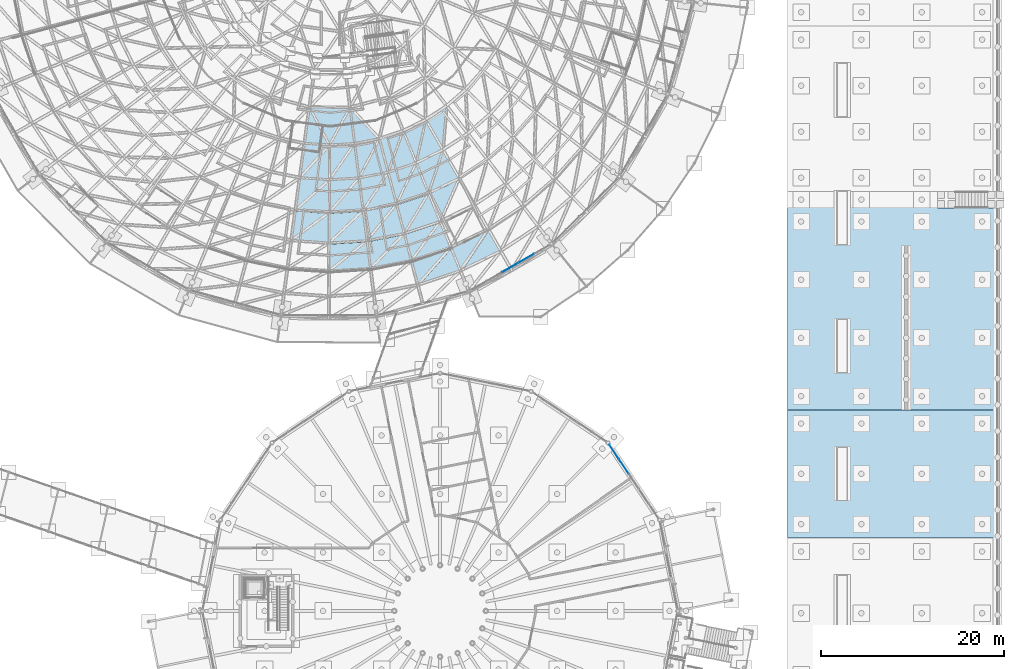
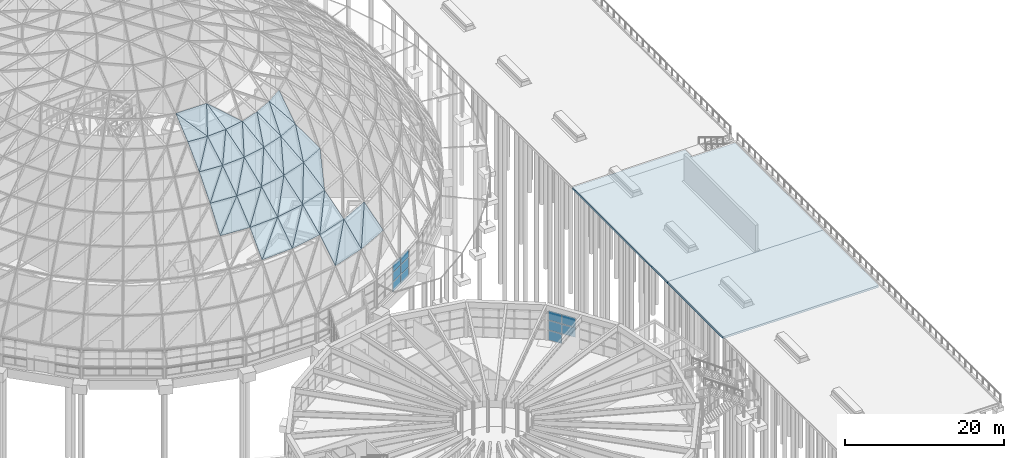
# One storey, part 146 of 226: 55 plates, 2 slabs, 2 elements without a shape of their own.
"""IFC4 building model written with IfcOpenShell, lengths in metres."""

from ifc_helpers import new_model, si_unit, direction, frame, origin, origin_2d, place, context, subcontext, project, spatial, polyline, rectangle, outline, extrude, material, layer, layer_set, type_object, element, aggregate, save


model = new_model("IFC4")

# Units and contexts
model_context = context("Model", 3, precision=1e-05, world=origin(), true_north=direction((0.0, 1.0)))
body_context = subcontext(model_context, "Body", "Model", "MODEL_VIEW")
ifc_project = project(units=[si_unit("LENGTHUNIT", "METRE"), si_unit("AREAUNIT", "SQUARE_METRE"), si_unit("VOLUMEUNIT", "CUBIC_METRE"), si_unit("PLANEANGLEUNIT", "RADIAN"), si_unit("MASSUNIT", "GRAM", prefix="KILO")], contexts=[model_context])

# Site, building, storey
site_placement = place(None, origin())
site = spatial("IfcSite", under=ifc_project, at=site_placement, CompositionType="ELEMENT")
building_placement = place(site_placement, origin())
building = spatial("IfcBuilding", under=site, at=building_placement, Name="Ceibo Conservatory and Research Tower", CompositionType="ELEMENT")
storey_placement = place(building_placement, origin())
storey = spatial("IfcBuildingStorey", under=building, at=storey_placement, Name="L00", CompositionType="ELEMENT", Elevation=0.0)

# Curtain wall, plates
ifc_material_1 = material(Name="Aluminium and glass", Category="aluminium")
curtain_wall_type_1 = type_object("IfcCurtainWallType", Name="Drum curtain wall", PredefinedType="NOTDEFINED", material=ifc_material_1)
curtain_wall_1_placement = place(storey_placement, origin())
curtain_wall_1 = element("IfcCurtainWall", 1, at=curtain_wall_1_placement, inside=storey, type_object=curtain_wall_type_1, Name="Drum curtain wall A-CW20", PredefinedType="NOTDEFINED")
ifc_material_2 = material(Name="Laminated glass", Category="glass")
ifc_layer_1 = layer(ifc_material_2, 0.028076171875)
ifc_layer_set_1 = layer_set([ifc_layer_1], Name="Laminated glass")
plate_type_1 = type_object("IfcPlateType", Name="Drum glass 28", PredefinedType="CURTAIN_PANEL", material=ifc_layer_set_1)
plate_1_placement = place(storey_placement, frame((175.678955078125, 73.569091796875, 0.06005859375), z_axis=(0.0, 0.0, 1.0), x_axis=(0.868198821002, 0.49621649228, 0.0)))
plate_1 = element("IfcPlate", 2, at=plate_1_placement, type_object=plate_type_1, Name="A-CW20 panel 3.1", PredefinedType="CURTAIN_PANEL", context=body_context, shape_type="SweptSolid", body=[
    extrude(rectangle(XDim=1.947021484375, YDim=0.028076171875, at=origin_2d()), origin(), (0.0, 0.0, 1.0), 1.43994140625),
])
plate_2_placement = place(storey_placement, frame((175.678955078125, 73.569091796875, 1.56005859375), z_axis=(0.0, 0.0, 1.0), x_axis=(0.868198821002, 0.49621649228, 0.0)))
plate_2 = element("IfcPlate", 3, at=plate_2_placement, type_object=plate_type_1, Name="A-CW20 panel 3.2", PredefinedType="CURTAIN_PANEL", context=body_context, shape_type="SweptSolid", body=[
    extrude(rectangle(XDim=1.947021484375, YDim=0.028076171875, at=origin_2d()), origin(), (0.0, 0.0, 1.0), 1.425048828125),
])
plate_3_placement = place(storey_placement, frame((175.678955078125, 73.569091796875, 3.044921875), z_axis=(0.0, 0.0, 1.0), x_axis=(0.868198821002, 0.49621649228, 0.0)))
plate_3 = element("IfcPlate", 4, at=plate_3_placement, type_object=plate_type_1, Name="A-CW20 panel 3.3", PredefinedType="CURTAIN_PANEL", context=body_context, shape_type="SweptSolid", body=[
    extrude(rectangle(XDim=1.947021484375, YDim=0.028076171875, at=origin_2d()), origin(), (0.0, 0.0, 1.0), 1.233154296875),
])
plate_4_placement = place(storey_placement, frame((177.42138671875, 74.565185546875, 0.06005859375), z_axis=(0.0, 0.0, 1.0), x_axis=(0.868198821002, 0.49621649228, 0.0)))
plate_4 = element("IfcPlate", 5, at=plate_4_placement, type_object=plate_type_1, Name="A-CW20 panel 4.1", PredefinedType="CURTAIN_PANEL", context=body_context, shape_type="SweptSolid", body=[
    extrude(rectangle(XDim=1.947021484375, YDim=0.028076171875, at=origin_2d()), origin(), (0.0, 0.0, 1.0), 1.43994140625),
])
plate_5_placement = place(storey_placement, frame((177.42138671875, 74.565185546875, 1.56005859375), z_axis=(0.0, 0.0, 1.0), x_axis=(0.868198821002, 0.49621649228, 0.0)))
plate_5 = element("IfcPlate", 6, at=plate_5_placement, type_object=plate_type_1, Name="A-CW20 panel 4.2", PredefinedType="CURTAIN_PANEL", context=body_context, shape_type="SweptSolid", body=[
    extrude(rectangle(XDim=1.947021484375, YDim=0.028076171875, at=origin_2d()), origin(), (0.0, 0.0, 1.0), 1.425048828125),
])
plate_6_placement = place(storey_placement, frame((177.42138671875, 74.565185546875, 3.044921875), z_axis=(0.0, 0.0, 1.0), x_axis=(0.868198821002, 0.49621649228, 0.0)))
plate_6 = element("IfcPlate", 7, at=plate_6_placement, type_object=plate_type_1, Name="A-CW20 panel 4.3", PredefinedType="CURTAIN_PANEL", context=body_context, shape_type="SweptSolid", body=[
    extrude(rectangle(XDim=1.947021484375, YDim=0.028076171875, at=origin_2d()), origin(), (0.0, 0.0, 1.0), 1.233154296875),
])
aggregate(curtain_wall_1, [plate_1, plate_2, plate_3, plate_4, plate_5, plate_6])

# Plates
ifc_layer_2 = layer(ifc_material_2, 0.035888671875)
ifc_layer_set_2 = layer_set([ifc_layer_2], Name="Laminated glass")
plate_type_2 = type_object("IfcPlateType", Name="Gridshell roof glass 36", PredefinedType="SHEET", material=ifc_layer_set_2)
plate_7_placement = place(storey_placement, frame((165.60400390625, 71.52099609375, 8.23291015625), z_axis=(0.245728336838, -0.734540709945, 0.632508916861), x_axis=(0.948341348248, 0.317251772576, 0.0)))
element("IfcPlate", 8, at=plate_7_placement, inside=storey, type_object=plate_type_2, Name="Glass panel A-P02-075", PredefinedType="SHEET", context=body_context, shape_type="SweptSolid", body=[
    extrude(outline(polyline([(0.0, 0.0), (4.934344967683669, -1.1102230246251565e-16), (4.753199402066526, 4.373111577510651), (0.0, 0.0)])), origin(), (0.0, 0.0, -1.0), 0.035888671875),
])
plate_8_placement = place(storey_placement, frame((165.60400390625, 71.52099609375, 8.23291015625), z_axis=(0.245805582972, -0.734562872889, 0.632453161233), x_axis=(0.562037417692, 0.639601529677, 0.524427139219)))
element("IfcPlate", 9, at=plate_8_placement, inside=storey, type_object=plate_type_2, Name="Glass panel A-P02-076", PredefinedType="SHEET", context=body_context, shape_type="SweptSolid", body=[
    extrude(outline(polyline([(0.0, 0.0), (6.458870599815673, 0.0), (3.093895885686849, 3.0955597987372916), (0.0, 0.0)])), origin(), (0.0, 0.0, -1.0), 0.035888671875),
])
plate_9_placement = place(storey_placement, frame((170.283447265625, 73.08642578125, 8.23291015625), z_axis=(0.339609922317, -0.696238671441, 0.632389763559), x_axis=(0.89877795649, 0.438404134249, 0.0)))
element("IfcPlate", 10, at=plate_9_placement, inside=storey, type_object=plate_type_2, Name="Glass panel A-P02-077", PredefinedType="SHEET", context=body_context, shape_type="SweptSolid", body=[
    extrude(outline(polyline([(0.0, 0.0), (4.933999861118422, -2.220446049250313e-16), (4.75320251493428, 4.3725623678107715), (0.0, 0.0)])), origin(), (0.0, 0.0, -1.0), 0.035888671875),
])
plate_10_placement = place(storey_placement, frame((170.283447265625, 73.08642578125, 8.23291015625), z_axis=(0.339440723467, -0.696213358112, 0.632508462582), x_axis=(0.47376541857, 0.70745390637, 0.524457146513)))
element("IfcPlate", 11, at=plate_10_placement, inside=storey, type_object=plate_type_2, Name="Glass panel A-P02-078", PredefinedType="SHEET", context=body_context, shape_type="SweptSolid", body=[
    extrude(outline(polyline([(0.0, 0.0), (6.458501049653279, -6.661338147750939e-16), (3.0944110800168136, 3.095406056266225), (0.0, 0.0)])), origin(), (0.0, 0.0, -1.0), 0.035888671875),
])
plate_11_placement = place(storey_placement, frame((155.847412109375, 73.04931640625, 11.6201171875), z_axis=(0.04348445938, -0.711045096954, 0.701800521438), x_axis=(0.998135219396, 0.061041656274, 0.0)))
element("IfcPlate", 12, at=plate_11_placement, inside=storey, type_object=plate_type_2, Name="Glass panel A-P03-071", PredefinedType="SHEET", context=body_context, shape_type="SweptSolid", body=[
    extrude(outline(polyline([(0.0, 0.0), (4.571513150302315, -2.7755575615628914e-17), (4.370765544932332, 4.3726923571040155), (0.0, 0.0)])), origin(), (0.0, 0.0, -1.0), 0.035888671875),
])
plate_12_placement = place(storey_placement, frame((155.847412109375, 73.04931640625, 11.6201171875), z_axis=(0.043586582447, -0.711107793429, 0.701730657699), x_axis=(0.675334160245, 0.538585113529, 0.503835139198)))
element("IfcPlate", 13, at=plate_12_placement, inside=storey, type_object=plate_type_2, Name="Glass panel A-P03-072", PredefinedType="SHEET", context=body_context, shape_type="SweptSolid", body=[
    extrude(outline(polyline([(0.0, 0.0), (6.182558523673149, -1.1102230246251565e-15), (3.234171428542714, 2.949116831954096), (0.0, 0.0)])), origin(), (0.0, 0.0, -1.0), 0.035888671875),
])
plate_13_placement = place(storey_placement, frame((160.410400390625, 73.328369140625, 11.6201171875), z_axis=(0.136011723482, -0.699347552742, 0.701722032965), x_axis=(0.981608163023, 0.190906820956, 0.0)))
element("IfcPlate", 14, at=plate_13_placement, inside=storey, type_object=plate_type_2, Name="Glass panel A-P03-073", PredefinedType="SHEET", context=body_context, shape_type="SweptSolid", body=[
    extrude(outline(polyline([(0.0, 0.0), (4.571878207421368, 0.0), (4.371438756720874, 4.372217833335619), (0.0, 0.0)])), origin(), (0.0, 0.0, -1.0), 0.035888671875),
])
plate_14_placement = place(storey_placement, frame((160.410400390625, 73.328369140625, 11.6201171875), z_axis=(0.135896628649, -0.69929618763, 0.701795517432), x_axis=(0.599304984847, 0.622089393904, 0.503823700445)))
element("IfcPlate", 15, at=plate_14_placement, inside=storey, type_object=plate_type_2, Name="Glass panel A-P03-074", PredefinedType="SHEET", context=body_context, shape_type="SweptSolid", body=[
    extrude(outline(polyline([(0.0, 0.0), (6.182698891738085, 0.0), (3.2349168320961197, 2.9489067703742107), (0.0, 0.0)])), origin(), (0.0, 0.0, -1.0), 0.035888671875),
])
plate_15_placement = place(storey_placement, frame((164.898193359375, 74.201171875, 11.6201171875), z_axis=(0.226069598505, -0.675584060145, 0.701768276791), x_axis=(0.948314221276, 0.317332850059, 0.0)))
element("IfcPlate", 16, at=plate_15_placement, inside=storey, type_object=plate_type_2, Name="Glass panel A-P03-075", PredefinedType="SHEET", context=body_context, shape_type="SweptSolid", body=[
    extrude(outline(polyline([(0.0, 0.0), (4.572258226990775, -1.1102230246251565e-16), (4.370779194624383, 4.372497388050967), (0.0, 0.0)])), origin(), (0.0, 0.0, -1.0), 0.035888671875),
])
plate_16_placement = place(storey_placement, frame((164.898193359375, 74.201171875, 11.6201171875), z_axis=(0.226163547666, -0.675611970282, 0.701711133814), x_axis=(0.512928158363, 0.695013903086, 0.503845590311)))
element("IfcPlate", 17, at=plate_16_placement, inside=storey, type_object=plate_type_2, Name="Glass panel A-P03-076", PredefinedType="SHEET", context=body_context, shape_type="SweptSolid", body=[
    extrude(outline(polyline([(0.0, 0.0), (6.182430280777446, 2.220446049250313e-16), (3.2346693029564797, 2.9484537059357354), (0.0, 0.0)])), origin(), (0.0, 0.0, -1.0), 0.035888671875),
])
plate_17_placement = place(storey_placement, frame((151.701171875, 76.415283203125, 14.735107421875), z_axis=(-0.044987167813, -0.642415247995, 0.765035165124), x_axis=(0.997557008867, -0.069857097416, 0.0)))
element("IfcPlate", 18, at=plate_17_placement, inside=storey, type_object=plate_type_2, Name="Glass panel A-P04-069", PredefinedType="SHEET", context=body_context, shape_type="SweptSolid", body=[
    extrude(outline(polyline([(0.0, 0.0), (4.169365410225462, 0.0), (3.950300612136636, 4.372242363016905), (0.0, 0.0)])), origin(), (0.0, 0.0, -1.0), 0.035888671875),
])
plate_18_placement = place(storey_placement, frame((151.701171875, 76.415283203125, 14.735107421875), z_axis=(-0.044889797732, -0.642493133176, 0.764975476654), x_axis=(0.708413595024, 0.51943977312, 0.477841501427)))
element("IfcPlate", 19, at=plate_18_placement, inside=storey, type_object=plate_type_2, Name="Glass panel A-P04-070", PredefinedType="SHEET", context=body_context, shape_type="SweptSolid", body=[
    extrude(outline(polyline([(0.0, 0.0), (5.892484892403775, 2.220446049250313e-16), (3.3912287716587572, 2.7677437428708576), (0.0, 0.0)])), origin(), (0.0, 0.0, -1.0), 0.035888671875),
])
plate_19_placement = place(storey_placement, frame((155.8603515625, 76.1240234375, 14.735107421875), z_axis=(0.039400993041, -0.642820603216, 0.765002767203), x_axis=(0.998126804306, 0.061179102029, 0.0)))
element("IfcPlate", 20, at=plate_19_placement, inside=storey, type_object=plate_type_2, Name="Glass panel A-P04-071", PredefinedType="SHEET", context=body_context, shape_type="SweptSolid", body=[
    extrude(outline(polyline([(0.0, 0.0), (4.170165050839913, -5.551115123125783e-17), (3.951766782354754, 4.3719810876863985), (0.0, 0.0)])), origin(), (0.0, 0.0, -1.0), 0.035888671875),
])
plate_20_placement = place(storey_placement, frame((155.8603515625, 76.1240234375, 14.735107421875), z_axis=(0.039352862143, -0.642791504126, 0.765029695152), x_axis=(0.634578681665, 0.60748542812, 0.477777512446)))
element("IfcPlate", 21, at=plate_20_placement, inside=storey, type_object=plate_type_2, Name="Glass panel A-P04-072", PredefinedType="SHEET", context=body_context, shape_type="SweptSolid", body=[
    extrude(outline(polyline([(0.0, 0.0), (5.893274075860548, 2.220446049250313e-16), (3.391193080415083, 2.768447607968445), (0.0, 0.0)])), origin(), (0.0, 0.0, -1.0), 0.035888671875),
])
plate_21_placement = place(storey_placement, frame((160.022705078125, 76.379150390625, 14.735107421875), z_axis=(0.122853903662, -0.632180999045, 0.765019021202), x_axis=(0.981635801309, 0.190764654976, 0.0)))
element("IfcPlate", 22, at=plate_21_placement, inside=storey, type_object=plate_type_2, Name="Glass panel A-P04-073", PredefinedType="SHEET", context=body_context, shape_type="SweptSolid", body=[
    extrude(outline(polyline([(0.0, 0.0), (4.169588734096672, -1.1102230246251565e-16), (3.950102299217178, 4.372112161977718), (0.0, 0.0)])), origin(), (0.0, 0.0, -1.0), 0.035888671875),
])
plate_22_placement = place(storey_placement, frame((160.022705078125, 76.379150390625, 14.735107421875), z_axis=(0.122899902835, -0.632201146271, 0.764994983341), x_axis=(0.549789812054, 0.685113764587, 0.477860117749)))
element("IfcPlate", 23, at=plate_22_placement, inside=storey, type_object=plate_type_2, Name="Glass panel A-P04-074", PredefinedType="SHEET", context=body_context, shape_type="SweptSolid", body=[
    extrude(outline(polyline([(0.0, 0.0), (5.892255334860694, -4.440892098500626e-16), (3.3911227864377533, 2.768068402707475), (0.0, 0.0)])), origin(), (0.0, 0.0, -1.0), 0.035888671875),
])
plate_23_placement = place(storey_placement, frame((164.11572265625, 77.174560546875, 14.735107421875), z_axis=(0.20446077531, -0.610779892155, 0.764946870507), x_axis=(0.948278477637, 0.317439645997, 0.0)))
element("IfcPlate", 24, at=plate_23_placement, inside=storey, type_object=plate_type_2, Name="Glass panel A-P04-075", PredefinedType="SHEET", context=body_context, shape_type="SweptSolid", body=[
    extrude(outline(polyline([(0.0, 0.0), (4.169253414990529, 1.1102230246251565e-16), (3.9511782223790974, 4.371530440920581), (0.0, 0.0)])), origin(), (0.0, 0.0, -1.0), 0.035888671875),
])
plate_24_placement = place(storey_placement, frame((164.11572265625, 77.174560546875, 14.735107421875), z_axis=(0.204308966422, -0.610735918392, 0.765022538377), x_axis=(0.455711868025, 0.750998574399, 0.477836619141)))
element("IfcPlate", 25, at=plate_24_placement, inside=storey, type_object=plate_type_2, Name="Glass panel A-P04-076", PredefinedType="SHEET", context=body_context, shape_type="SweptSolid", body=[
    extrude(outline(polyline([(0.0, 0.0), (5.892545098758103, 0.0), (3.390803005428059, 2.768753154470371), (0.0, 0.0)])), origin(), (0.0, 0.0, -1.0), 0.035888671875),
])
plate_25_placement = place(storey_placement, frame((168.0693359375, 78.498046875, 14.735107421875), z_axis=(0.282443557744, -0.578880737511, 0.764933152914), x_axis=(0.3537956959, 0.804047227385, 0.477845855582)))
element("IfcPlate", 26, at=plate_25_placement, inside=storey, type_object=plate_type_2, Name="Glass panel A-P04-078", PredefinedType="SHEET", context=body_context, shape_type="SweptSolid", body=[
    extrude(outline(polyline([(0.0, 0.0), (5.892431199793323, 4.440892098500626e-16), (3.390734286170372, 2.767807107823177), (0.0, 0.0)])), origin(), (0.0, 0.0, -1.0), 0.035888671875),
])
plate_26_placement = place(storey_placement, frame((152.154052734375, 79.736083984375, 17.55078125), z_axis=(-0.039736306403, -0.568732881221, 0.821561887974), x_axis=(0.997568121673, -0.069698225387, 0.0)))
element("IfcPlate", 27, at=plate_26_placement, inside=storey, type_object=plate_type_2, Name="Glass panel A-P05-069", PredefinedType="SHEET", context=body_context, shape_type="SweptSolid", body=[
    extrude(outline(polyline([(0.0, 0.0), (3.730507687670031, 0.0), (3.4958145110330494, 4.370058852904279), (0.0, 0.0)])), origin(), (0.0, 0.0, -1.0), 0.035888671875),
])
plate_27_placement = place(storey_placement, frame((152.154052734375, 79.736083984375, 17.55078125), z_axis=(-0.03986382489, -0.568635694864, 0.821622980443), x_axis=(0.667865392502, 0.596450169592, 0.445199969331)))
element("IfcPlate", 28, at=plate_27_placement, inside=storey, type_object=plate_type_2, Name="Glass panel A-P05-070", PredefinedType="SHEET", context=body_context, shape_type="SweptSolid", body=[
    extrude(outline(polyline([(0.0, 0.0), (5.596260668821307, -2.220446049250313e-16), (3.559911507223866, 2.546613796477314), (0.0, 0.0)])), origin(), (0.0, 0.0, -1.0), 0.035888671875),
])
plate_28_placement = place(storey_placement, frame((155.87548828125, 79.47607421875, 17.55078125), z_axis=(0.034840782838, -0.569090988201, 0.821536102067), x_axis=(0.998131196447, 0.061107402824, 0.0)))
element("IfcPlate", 29, at=plate_28_placement, inside=storey, type_object=plate_type_2, Name="Glass panel A-P05-071", PredefinedType="SHEET", context=body_context, shape_type="SweptSolid", body=[
    extrude(outline(polyline([(0.0, 0.0), (3.7315829705147348, 0.0), (3.4964130459758476, 4.3697740600050805), (0.0, 0.0)])), origin(), (0.0, 0.0, -1.0), 0.035888671875),
])
plate_29_placement = place(storey_placement, frame((155.87548828125, 79.47607421875, 17.55078125), z_axis=(0.034792700538, -0.569063433344, 0.821557226747), x_axis=(0.584393660623, 0.678448059869, 0.4451879148)))
element("IfcPlate", 30, at=plate_29_placement, inside=storey, type_object=plate_type_2, Name="Glass panel A-P05-072", PredefinedType="SHEET", context=body_context, shape_type="SweptSolid", body=[
    extrude(outline(polyline([(0.0, 0.0), (5.596412201005515, 5.551115123125783e-16), (3.5595707300836565, 2.5459676907884607), (0.0, 0.0)])), origin(), (0.0, 0.0, -1.0), 0.035888671875),
])
plate_30_placement = place(storey_placement, frame((159.60009765625, 79.7041015625, 17.55078125), z_axis=(0.108793858736, -0.559639191027, 0.821564283649), x_axis=(0.981623562883, 0.190827620624, 0.0)))
element("IfcPlate", 31, at=plate_30_placement, inside=storey, type_object=plate_type_2, Name="Glass panel A-P05-073", PredefinedType="SHEET", context=body_context, shape_type="SweptSolid", body=[
    extrude(outline(polyline([(0.0, 0.0), (3.73066571899013, 0.0), (3.4957060668333306, 4.37008531525886), (0.0, 0.0)])), origin(), (0.0, 0.0, -1.0), 0.035888671875),
])
plate_31_placement = place(storey_placement, frame((159.60009765625, 79.7041015625, 17.55078125), z_axis=(0.108868572224, -0.559669848346, 0.821533501955), x_axis=(0.490749297794, 0.748971814786, 0.445203714462)))
element("IfcPlate", 32, at=plate_31_placement, inside=storey, type_object=plate_type_2, Name="Glass panel A-P05-074", PredefinedType="SHEET", context=body_context, shape_type="SweptSolid", body=[
    extrude(outline(polyline([(0.0, 0.0), (5.596213592093898, -2.220446049250313e-16), (3.559321338069287, 2.5458715288218237), (0.0, 0.0)])), origin(), (0.0, 0.0, -1.0), 0.035888671875),
])
plate_32_placement = place(storey_placement, frame((163.26220703125, 80.416015625, 17.55078125), z_axis=(0.180865110902, -0.540655760471, 0.82157115354), x_axis=(0.948342536456, 0.317248220716, 0.0)))
element("IfcPlate", 33, at=plate_32_placement, inside=storey, type_object=plate_type_2, Name="Glass panel A-P05-075", PredefinedType="SHEET", context=body_context, shape_type="SweptSolid", body=[
    extrude(outline(polyline([(0.0, 0.0), (3.7315824434050784, 1.1102230246251565e-16), (3.4956492627569684, 4.370161202388543), (0.0, 0.0)])), origin(), (0.0, 0.0, -1.0), 0.035888671875),
])
plate_33_placement = place(storey_placement, frame((163.26220703125, 80.416015625, 17.55078125), z_axis=(0.18088960049, -0.540662237575, 0.821561499399), x_axis=(0.388837221636, 0.806598383353, 0.44520182282)))
element("IfcPlate", 34, at=plate_33_placement, inside=storey, type_object=plate_type_2, Name="Glass panel A-P05-076", PredefinedType="SHEET", context=body_context, shape_type="SweptSolid", body=[
    extrude(outline(polyline([(0.0, 0.0), (5.596237370151074, 0.0), (3.559667075945538, 2.5459029850353927), (0.0, 0.0)])), origin(), (0.0, 0.0, -1.0), 0.035888671875),
])
plate_34_placement = place(storey_placement, frame((166.801025390625, 81.599853515625, 17.55078125), z_axis=(0.249985368139, -0.512356222357, 0.821582872952), x_axis=(0.898730078547, 0.438502275837, 0.0)))
element("IfcPlate", 35, at=plate_34_placement, inside=storey, type_object=plate_type_2, Name="Glass panel A-P05-077", PredefinedType="SHEET", context=body_context, shape_type="SweptSolid", body=[
    extrude(outline(polyline([(0.0, 0.0), (3.7308502561409647, -2.220446049250313e-16), (3.4961486099480634, 4.370290669564486), (0.0, 0.0)])), origin(), (0.0, 0.0, -1.0), 0.035888671875),
])
plate_35_placement = place(storey_placement, frame((166.801025390625, 81.599853515625, 17.55078125), z_axis=(0.25001167626, -0.512359595382, 0.821572764126), x_axis=(0.280100925125, 0.850510471446, 0.44516896759)))
element("IfcPlate", 36, at=plate_35_placement, inside=storey, type_object=plate_type_2, Name="Glass panel A-P05-078", PredefinedType="SHEET", context=body_context, shape_type="SweptSolid", body=[
    extrude(outline(polyline([(0.0, 0.0), (5.596650394595342, 2.220446049250313e-16), (3.559665229671319, 2.546125851811305), (0.0, 0.0)])), origin(), (0.0, 0.0, -1.0), 0.035888671875),
])
plate_36_placement = place(storey_placement, frame((152.638916015625, 83.302001953125, 20.042236328125), z_axis=(-0.034332917991, -0.489740328046, 0.871192092381), x_axis=(0.997551712009, -0.069932695265, 0.0)))
element("IfcPlate", 37, at=plate_36_placement, inside=storey, type_object=plate_type_2, Name="Glass panel A-P06-069", PredefinedType="SHEET", context=body_context, shape_type="SweptSolid", body=[
    extrude(outline(polyline([(0.0, 0.0), (3.2606686026560867, 2.7755575615628914e-17), (3.0098850054879334, 4.370680566432752), (0.0, 0.0)])), origin(), (0.0, 0.0, -1.0), 0.035888671875),
])
plate_37_placement = place(storey_placement, frame((152.638916015625, 83.302001953125, 20.042236328125), z_axis=(-0.0342920704, -0.489768899145, 0.87117763937), x_axis=(0.615962779186, 0.676091493235, 0.404339149023)))
element("IfcPlate", 38, at=plate_37_placement, inside=storey, type_object=plate_type_2, Name="Glass panel A-P06-070", PredefinedType="SHEET", context=body_context, shape_type="SweptSolid", body=[
    extrude(outline(polyline([(0.0, 0.0), (5.306812259733146, -4.440892098500626e-16), (3.740455873526321, 2.274150642060169), (0.0, 0.0)])), origin(), (0.0, 0.0, -1.0), 0.035888671875),
])
plate_38_placement = place(storey_placement, frame((155.8916015625, 83.073974609375, 20.042236328125), z_axis=(0.029958632757, -0.489998251112, 0.871208467722), x_axis=(0.998136156619, 0.061026329156, 0.0)))
element("IfcPlate", 39, at=plate_38_placement, inside=storey, type_object=plate_type_2, Name="Glass panel A-P06-071", PredefinedType="SHEET", context=body_context, shape_type="SweptSolid", body=[
    extrude(outline(polyline([(0.0, 0.0), (3.2604715395485115, -2.7755575615628914e-17), (3.0104601837676044, 4.370939289453489), (0.0, 0.0)])), origin(), (0.0, 0.0, -1.0), 0.035888671875),
])
plate_39_placement = place(storey_placement, frame((155.8916015625, 83.073974609375, 20.042236328125), z_axis=(0.029991185499, -0.490015172623, 0.871197830226), x_axis=(0.522381247198, 0.750773541345, 0.40429806108)))
element("IfcPlate", 40, at=plate_39_placement, inside=storey, type_object=plate_type_2, Name="Glass panel A-P06-072", PredefinedType="SHEET", context=body_context, shape_type="SweptSolid", body=[
    extrude(outline(polyline([(0.0, 0.0), (5.307351579661766, -3.3306690738754696e-16), (3.740830877042015, 2.274186750416638), (0.0, 0.0)])), origin(), (0.0, 0.0, -1.0), 0.035888671875),
])
plate_40_placement = place(storey_placement, frame((159.14599609375, 83.27294921875, 20.042236328125), z_axis=(0.093734737232, -0.481870066812, 0.871214690961), x_axis=(0.98160096761, 0.190943814738, 0.0)))
element("IfcPlate", 41, at=plate_40_placement, inside=storey, type_object=plate_type_2, Name="Glass panel A-P06-073", PredefinedType="SHEET", context=body_context, shape_type="SweptSolid", body=[
    extrude(outline(polyline([(0.0, 0.0), (3.2604281767539405, 1.1102230246251565e-16), (3.011051529178231, 4.371037627159272), (0.0, 0.0)])), origin(), (0.0, 0.0, -1.0), 0.035888671875),
])
plate_41_placement = place(storey_placement, frame((159.14599609375, 83.27294921875, 20.042236328125), z_axis=(0.093753762431, -0.481876977089, 0.871208821685), x_axis=(0.419859274321, 0.812580405363, 0.404266341149)))
element("IfcPlate", 42, at=plate_41_placement, inside=storey, type_object=plate_type_2, Name="Glass panel A-P06-074", PredefinedType="SHEET", context=body_context, shape_type="SweptSolid", body=[
    extrude(outline(polyline([(0.0, 0.0), (5.307768010134648, 2.220446049250313e-16), (3.741251569925175, 2.2739069111641284), (0.0, 0.0)])), origin(), (0.0, 0.0, -1.0), 0.035888671875),
])
plate_42_placement = place(storey_placement, frame((162.346435546875, 83.8955078125, 20.042236328125), z_axis=(0.155775901293, -0.465599720078, 0.871177805755), x_axis=(0.948330755755, 0.317283434313, 0.0)))
element("IfcPlate", 43, at=plate_42_placement, inside=storey, type_object=plate_type_2, Name="Glass panel A-P06-075", PredefinedType="SHEET", context=body_context, shape_type="SweptSolid", body=[
    extrude(outline(polyline([(0.0, 0.0), (3.2602516118319063, 0.0), (3.0105649577236844, 4.370454885644657), (0.0, 0.0)])), origin(), (0.0, 0.0, -1.0), 0.035888671875),
])
plate_43_placement = place(storey_placement, frame((162.346435546875, 83.8955078125, 20.042236328125), z_axis=(0.155638241436, -0.465569273811, 0.871218680405), x_axis=(0.310338968485, 0.86035567575, 0.404323924402)))
element("IfcPlate", 44, at=plate_43_placement, inside=storey, type_object=plate_type_2, Name="Glass panel A-P06-076", PredefinedType="SHEET", context=body_context, shape_type="SweptSolid", body=[
    extrude(outline(polyline([(0.0, 0.0), (5.307012085168929, -3.3306690738754696e-16), (3.7410351398121575, 2.2743822750559963), (0.0, 0.0)])), origin(), (0.0, 0.0, -1.0), 0.035888671875),
])
plate_44_placement = place(storey_placement, frame((165.438232421875, 84.929931640625, 20.042236328125), z_axis=(0.215291648719, -0.441206361546, 0.871198285423), x_axis=(0.898713029522, 0.438537216855, 0.0)))
element("IfcPlate", 45, at=plate_44_placement, inside=storey, type_object=plate_type_2, Name="Glass panel A-P06-077", PredefinedType="SHEET", context=body_context, shape_type="SweptSolid", body=[
    extrude(outline(polyline([(0.0, 0.0), (3.2606848077332447, 0.0), (3.0112453088253677, 4.370778407725669), (0.0, 0.0)])), origin(), (0.0, 0.0, -1.0), 0.035888671875),
])
plate_45_placement = place(storey_placement, frame((165.438232421875, 84.929931640625, 20.042236328125), z_axis=(0.215375465247, -0.44121363703, 0.871173883601), x_axis=(0.195260449796, 0.893552296286, 0.404274226915)))
element("IfcPlate", 46, at=plate_45_placement, inside=storey, type_object=plate_type_2, Name="Glass panel A-P06-078", PredefinedType="SHEET", context=body_context, shape_type="SweptSolid", body=[
    extrude(outline(polyline([(0.0, 0.0), (5.307664476901654, 1.1102230246251565e-16), (3.7409298838478167, 2.273469361313094), (0.0, 0.0)])), origin(), (0.0, 0.0, -1.0), 0.035888671875),
])
plate_46_placement = place(storey_placement, frame((168.36865234375, 86.35986328125, 20.042236328125), z_axis=(0.270871070921, -0.409432041815, 0.87120276978), x_axis=(0.077015776295, 0.911353352823, 0.404355829066)))
element("IfcPlate", 47, at=plate_46_placement, inside=storey, type_object=plate_type_2, Name="Glass panel A-P06-080", PredefinedType="SHEET", context=body_context, shape_type="SweptSolid", body=[
    extrude(outline(polyline([(0.0, 0.0), (5.306593348938722, 1.1102230246251565e-16), (3.7408566000053782, 2.2741846563664385), (0.0, 0.0)])), origin(), (0.0, 0.0, -1.0), 0.035888671875),
])
plate_47_placement = place(storey_placement, frame((153.6923828125, 91.044189453125, 23.970458984375), z_axis=(-0.028492439874, -0.406936960889, 0.913011769219), x_axis=(-0.123204699951, -0.904988438841, -0.407205755699)))
element("IfcPlate", 48, at=plate_47_placement, inside=storey, type_object=plate_type_2, Name="Glass panel A-P07-053", PredefinedType="SHEET", context=body_context, shape_type="SweptSolid", body=[
    extrude(outline(polyline([(0.0, 0.0), (4.377321975874442, 6.938893903907228e-17), (4.212483654863948, 2.7564581983625343), (0.0, 0.0)])), origin(), (0.0, 0.0, -1.0), 0.035888671875),
])
plate_48_placement = place(storey_placement, frame((153.6923828125, 91.044189453125, 23.970458984375), z_axis=(-0.001770492032, -0.395100410812, 0.918636234172), x_axis=(0.44005719562, -0.825216358901, -0.354072909987)))
element("IfcPlate", 49, at=plate_48_placement, inside=storey, type_object=plate_type_2, Name="Glass panel A-P07-054", PredefinedType="SHEET", context=body_context, shape_type="SweptSolid", body=[
    extrude(outline(polyline([(0.0, 0.0), (5.034191130838791, -1.6653345369377348e-16), (1.9824888584162523, 4.003617954590988), (0.0, 0.0)])), origin(), (0.0, 0.0, -1.0), 0.035888671875),
])
plate_49_placement = place(storey_placement, frame((158.159912109375, 91.024169921875, 23.970458984375), z_axis=(0.024923109291, -0.407209701731, 0.912994576895), x_axis=(-0.447391083843, -0.821259687133, -0.354081550476)))
element("IfcPlate", 50, at=plate_49_placement, inside=storey, type_object=plate_type_2, Name="Glass panel A-P07-055", PredefinedType="SHEET", context=body_context, shape_type="SweptSolid", body=[
    extrude(outline(polyline([(0.0, 0.0), (5.034068283787201, 4.996003610813204e-16), (3.662355446775371, 2.396730352017895), (0.0, 0.0)])), origin(), (0.0, 0.0, -1.0), 0.035888671875),
])
plate_50_placement = place(storey_placement, frame((158.159912109375, 91.024169921875, 23.970458984375), z_axis=(0.077915451172, -0.400470990238, 0.912990782235), x_axis=(0.11518462208, -0.906026061236, -0.407245968915)))
element("IfcPlate", 51, at=plate_50_placement, inside=storey, type_object=plate_type_2, Name="Glass panel A-P07-056", PredefinedType="SHEET", context=body_context, shape_type="SweptSolid", body=[
    extrude(outline(polyline([(0.0, 0.0), (4.3768897403075, -2.0816681711721685e-17), (4.211304628507482, 2.7563033158266026), (0.0, 0.0)])), origin(), (0.0, 0.0, -1.0), 0.035888671875),
])

# Curtain wall, plates
curtain_wall_type_2 = type_object("IfcCurtainWallType", Name="Pavilion curtain wall", PredefinedType="NOTDEFINED", material=ifc_material_1)
curtain_wall_2_placement = place(storey_placement, origin())
curtain_wall_2 = element("IfcCurtainWall", 52, at=curtain_wall_2_placement, inside=storey, type_object=curtain_wall_type_2, Name="Pavilion curtain wall VC-CW02", PredefinedType="NOTDEFINED")
ifc_layer_3 = layer(ifc_material_2, 0.028076171875)
ifc_layer_set_3 = layer_set([ifc_layer_3], Name="Laminated glass")
plate_type_3 = type_object("IfcPlateType", Name="Pavilion glass 28", PredefinedType="CURTAIN_PANEL", material=ifc_layer_set_3)
plate_51_placement = place(storey_placement, frame((188.120849609375, 51.78662109375, 1.61083984375), z_axis=(0.0, 0.0, 1.0), x_axis=(-0.555570267906, 0.831469588992, 0.0)))
plate_51 = element("IfcPlate", 53, at=plate_51_placement, type_object=plate_type_3, Name="VC-CW02 panel 4.2", PredefinedType="CURTAIN_PANEL", context=body_context, shape_type="SweptSolid", body=[
    extrude(rectangle(XDim=1.8876953125, YDim=0.028076171875, at=origin_2d()), origin(), (0.0, 0.0, 1.0), 1.47412109375),
])
plate_52_placement = place(storey_placement, frame((188.120849609375, 51.78662109375, 3.14501953125), z_axis=(0.0, 0.0, 1.0), x_axis=(-0.555570267906, 0.831469588992, 0.0)))
plate_52 = element("IfcPlate", 54, at=plate_52_placement, type_object=plate_type_3, Name="VC-CW02 panel 4.3", PredefinedType="CURTAIN_PANEL", context=body_context, shape_type="SweptSolid", body=[
    extrude(rectangle(XDim=1.8876953125, YDim=0.028076171875, at=origin_2d()), origin(), (0.0, 0.0, 1.0), 1.444091796875),
])
plate_53_placement = place(storey_placement, frame((187.047119140625, 53.3935546875, 0.06005859375), z_axis=(0.0, 0.0, 1.0), x_axis=(-0.555570267906, 0.831469588992, 0.0)))
plate_53 = element("IfcPlate", 55, at=plate_53_placement, type_object=plate_type_3, Name="VC-CW02 panel 5.1", PredefinedType="CURTAIN_PANEL", context=body_context, shape_type="SweptSolid", body=[
    extrude(rectangle(XDim=1.857666015625, YDim=0.028076171875, at=origin_2d()), origin(), (0.0, 0.0, 1.0), 1.490966796875),
])
plate_54_placement = place(storey_placement, frame((187.047119140625, 53.3935546875, 1.61083984375), z_axis=(0.0, 0.0, 1.0), x_axis=(-0.555570267906, 0.831469588992, 0.0)))
plate_54 = element("IfcPlate", 56, at=plate_54_placement, type_object=plate_type_3, Name="VC-CW02 panel 5.2", PredefinedType="CURTAIN_PANEL", context=body_context, shape_type="SweptSolid", body=[
    extrude(rectangle(XDim=1.857666015625, YDim=0.028076171875, at=origin_2d()), origin(), (0.0, 0.0, 1.0), 1.47412109375),
])
plate_55_placement = place(storey_placement, frame((187.047119140625, 53.3935546875, 3.14501953125), z_axis=(0.0, 0.0, 1.0), x_axis=(-0.555570267906, 0.831469588992, 0.0)))
plate_55 = element("IfcPlate", 57, at=plate_55_placement, type_object=plate_type_3, Name="VC-CW02 panel 5.3", PredefinedType="CURTAIN_PANEL", context=body_context, shape_type="SweptSolid", body=[
    extrude(rectangle(XDim=1.857666015625, YDim=0.028076171875, at=origin_2d()), origin(), (0.0, 0.0, 1.0), 1.444091796875),
])
aggregate(curtain_wall_2, [plate_51, plate_52, plate_53, plate_54, plate_55])

# Slabs
ifc_material_3 = material(Name="Concrete C35/45", Category="concrete")
ifc_layer_4 = layer(ifc_material_3, 0.300048828125)
ifc_layer_set_4 = layer_set([ifc_layer_4], Name="Concrete C35/45")
slab_type = type_object("IfcSlabType", Name="RC quay deck slab 300", PredefinedType="BASESLAB", material=ifc_layer_set_4)
slab_1_placement = place(storey_placement, frame((0.0, 0.0, -0.449951171875)))
element("IfcSlab", 58, at=slab_1_placement, inside=storey, type_object=slab_type, Name="Quay deck slab N2", PredefinedType="BASESLAB", context=body_context, shape_type="SweptSolid", body=[
    extrude(outline(polyline([(228.60009765625, 44.0), (228.60009765625, 58.0), (206.0, 58.0), (206.0, 44.0), (228.60009765625, 44.0)])), origin(), (0.0, 0.0, 1.0), 0.300048828125),
])
slab_2_placement = place(storey_placement, frame((0.0, 0.0, -0.449951171875)))
element("IfcSlab", 59, at=slab_2_placement, inside=storey, type_object=slab_type, Name="Quay deck slab N3", PredefinedType="BASESLAB", context=body_context, shape_type="SweptSolid", body=[
    extrude(outline(polyline([(228.60009765625, 80.10009765625), (228.60009765625, 58.0), (206.0, 58.0), (206.0, 80.10009765625), (206.0, 81.89990234375), (222.39990234375, 81.89990234375), (222.39990234375, 80.10009765625), (228.60009765625, 80.10009765625)])), origin(), (0.0, 0.0, 1.0), 0.300048828125),
])

save(model, "model.ifc")
